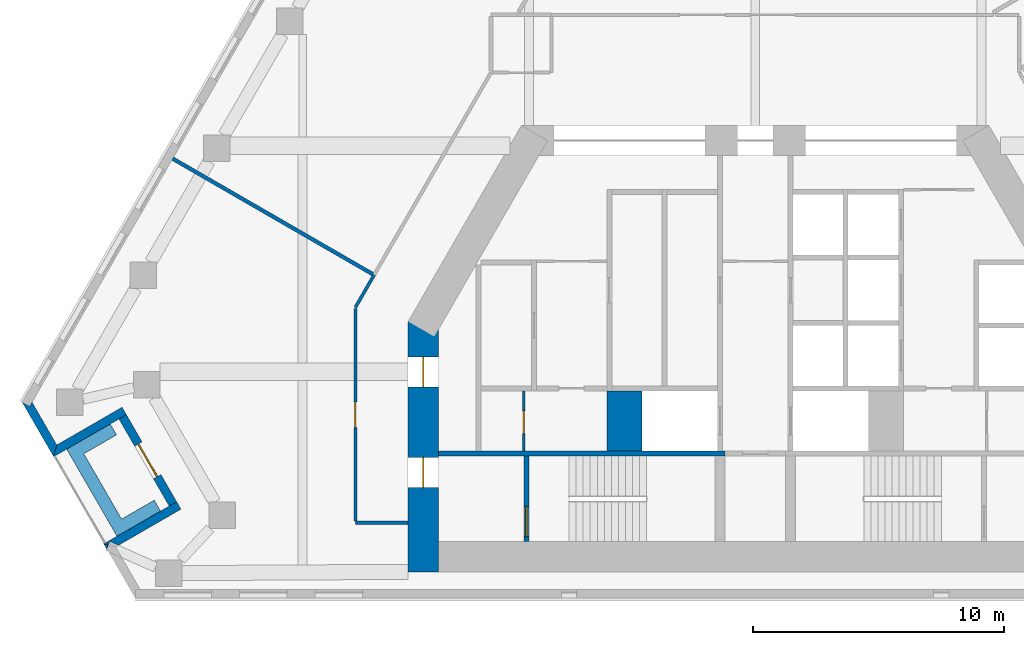
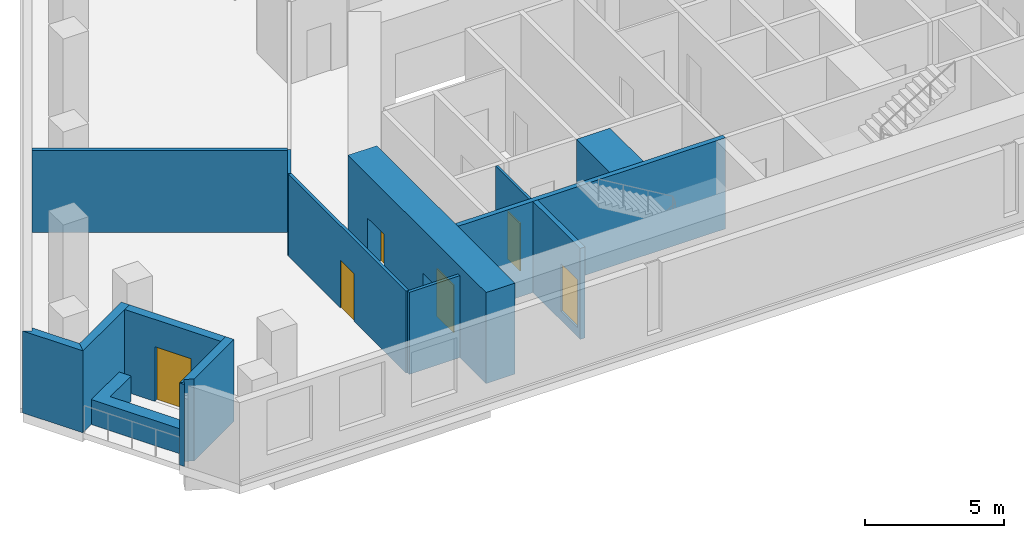
# One storey, part 3 of 9: 15 walls, 6 doors, 6 openings.
"""IFC4 building model written with IfcOpenShell, lengths in metres."""

from ifc_helpers import new_model, si_unit, direction, frame, frame_2d, origin, place, context, subcontext, project, spatial, polyline, rectangle, outline, extrude, material, layer, layer_set, type_object, element, fill, save


model = new_model("IFC4")

# Units and contexts
model_context = context("Model", 3, precision=1e-05, world=origin(), true_north=direction((0.0, 1.0)))
body_context = subcontext(model_context, "Body", "Model", "MODEL_VIEW")
ifc_project = project(units=[si_unit("LENGTHUNIT", "METRE"), si_unit("AREAUNIT", "SQUARE_METRE"), si_unit("VOLUMEUNIT", "CUBIC_METRE"), si_unit("PLANEANGLEUNIT", "RADIAN"), si_unit("MASSUNIT", "GRAM", prefix="KILO")], contexts=[model_context])

# Site, building, storey
site_placement = place(None, origin())
site = spatial("IfcSite", under=ifc_project, at=site_placement, CompositionType="ELEMENT")
building_placement = place(site_placement, origin())
building = spatial("IfcBuilding", under=site, at=building_placement, Name="Fogline Exchange Tower", CompositionType="ELEMENT")
storey_placement = place(building_placement, frame((0.0, 0.0, 146.89990234375)))
storey = spatial("IfcBuildingStorey", under=building, at=storey_placement, Name="L32", CompositionType="ELEMENT", Elevation=146.89990234375)

# Wall, opening, door
ifc_material_1 = material(Name="Blockwork partition", Category="masonry")
ifc_layer_1 = layer(ifc_material_1, 0.10009765625)
ifc_layer_set_1 = layer_set([ifc_layer_1], Name="CW10")
wall_type_1 = type_object("IfcWallType", Name="CW10", PredefinedType="PARTITIONING", material=ifc_layer_set_1)
wall_1_placement = place(storey_placement, frame((-9.199951171875, 5.85009765625, 0.0), z_axis=(0.0, 0.0, 1.0), x_axis=(0.0, 1.0, 0.0)))
wall_1 = element("IfcWall", 1, at=wall_1_placement, inside=storey, type_object=wall_type_1, Name="WC partition", PredefinedType="PARTITIONING", context=body_context, shape_type="SweptSolid", body=[
    extrude(rectangle(XDim=2.39990234375, YDim=0.10009765625, at=frame_2d((1.199951171875, 0.0))), origin(), (0.0, 0.0, 1.0), 3.60009765625),
])
opening_1_placement = place(wall_1_placement, frame((0.699951171875, 0.0, 0.0)))
opening_1 = element("IfcOpeningElement", 2, at=opening_1_placement, cuts=wall_1, Name="Opening T10-C008", PredefinedType="OPENING", context=body_context, shape_type="SweptSolid", body=[
    extrude(rectangle(XDim=0.89990234375, YDim=2.10009765625, at=frame_2d((0.449951171875, 1.050048828125))), frame((0.0, 0.06005859375, 0.0), z_axis=(0.0, -1.0, 0.0), x_axis=(1.0, 0.0, 0.0)), (0.0, 0.0, 1.0), 0.1201171875),
])
ifc_material_2 = material(Name="Steel and timber fire door", Category="steel")
door_type_1 = type_object("IfcDoorType", Name="D-CS1", OperationType="SINGLE_SWING_RIGHT", PredefinedType="DOOR", material=ifc_material_2)
door_1_placement = place(opening_1_placement, origin())
door_1 = element("IfcDoor", 3, at=door_1_placement, inside=storey, type_object=door_type_1, Name="Door to Cleaner's Store", OperationType="SINGLE_SWING_LEFT", OverallHeight=2.10009765625, OverallWidth=0.89990234375, PredefinedType="DOOR", context=body_context, shape_type="SweptSolid", body=[
    extrude(rectangle(XDim=0.89990234375, YDim=2.10009765625, at=frame_2d((0.449951171875, 1.050048828125))), frame((0.0, 0.02490234375, 0.0), z_axis=(0.0, -1.0, 0.0), x_axis=(1.0, 0.0, 0.0)), (0.0, 0.0, 1.0), 0.050048828125),
])
fill(opening_1, door_1)

# Walls
ifc_material_3 = material(Name="Concrete C60", Category="concrete")
ifc_layer_2 = layer(ifc_material_3, 1.39990234375)
ifc_layer_set_2 = layer_set([ifc_layer_2], Name="CW140")
wall_type_2 = type_object("IfcWallType", Name="CW140", PredefinedType="SOLIDWALL", material=ifc_layer_set_2)
wall_2_placement = place(storey_placement, frame((-5.199951171875, 5.85009765625, -0.39990234375), z_axis=(0.0, 0.0, 1.0), x_axis=(0.0, 1.0, 0.0)))
element("IfcWall", 4, at=wall_2_placement, inside=storey, type_object=wall_type_2, Name="Lift shaft block wall", PredefinedType="SOLIDWALL", context=body_context, shape_type="SweptSolid", body=[
    extrude(rectangle(XDim=2.39990234375, YDim=1.39990234375, at=frame_2d((1.199951171875, 0.0))), origin(), (0.0, 0.0, 1.0), 4.0),
])
ifc_material_4 = material(Name="Concrete C40", Category="concrete")
ifc_layer_3 = layer(ifc_material_4, 0.199951171875)
ifc_layer_set_3 = layer_set([ifc_layer_3], Name="CW20R")
wall_type_3 = type_object("IfcWallType", Name="CW20R", PredefinedType="SOLIDWALL", material=ifc_layer_set_3)
wall_3_placement = place(storey_placement, frame((-12.60009765625, 5.75, -0.39990234375), z_axis=(0.0, 0.0, 1.0), x_axis=(1.0, 0.0, 0.0)))
element("IfcWall", 5, at=wall_3_placement, inside=storey, type_object=wall_type_3, Name="Stair enclosure wall", PredefinedType="SOLIDWALL", context=body_context, shape_type="SweptSolid", body=[
    extrude(rectangle(XDim=11.400146484375, YDim=0.199951171875, at=frame_2d((5.7001953125, 0.0))), origin(), (0.0, 0.0, 1.0), 4.0),
])

# Wall, opening, door
wall_4_placement = place(storey_placement, frame((-9.10009765625, 2.25, -0.39990234375), z_axis=(0.0, 0.0, 1.0), x_axis=(0.0, 1.0, 0.0)))
wall_4 = element("IfcWall", 6, at=wall_4_placement, inside=storey, type_object=wall_type_3, Name="Stair enclosure wall", PredefinedType="SOLIDWALL", context=body_context, shape_type="SweptSolid", body=[
    extrude(rectangle(XDim=3.39990234375, YDim=0.199951171875, at=frame_2d((1.699951171875, 0.0))), origin(), (0.0, 0.0, 1.0), 4.0),
])
opening_2_placement = place(wall_4_placement, frame((0.199951171875, 0.0, 0.39990234375)))
opening_2 = element("IfcOpeningElement", 7, at=opening_2_placement, cuts=wall_4, Name="Opening T10-C010", PredefinedType="OPENING", context=body_context, shape_type="SweptSolid", body=[
    extrude(rectangle(XDim=1.199951171875, YDim=2.10009765625, at=frame_2d((0.60009765625, 1.050048828125))), frame((0.0, 0.10986328125, 0.0), z_axis=(0.0, -1.0, 0.0), x_axis=(1.0, 0.0, 0.0)), (0.0, 0.0, 1.0), 0.219970703125),
])
door_type_2 = type_object("IfcDoorType", Name="D-ST1", OperationType="SINGLE_SWING_LEFT", PredefinedType="DOOR", material=ifc_material_2)
door_2_placement = place(opening_2_placement, frame((1.199951171875, 0.0, 0.0), z_axis=(0.0, 0.0, 1.0), x_axis=(-1.0, 0.0, 0.0)))
door_2 = element("IfcDoor", 8, at=door_2_placement, inside=storey, type_object=door_type_2, Name="Stair door ST1", OperationType="SINGLE_SWING_RIGHT", OverallHeight=2.10009765625, OverallWidth=1.199951171875, PredefinedType="DOOR", context=body_context, shape_type="SweptSolid", body=[
    extrude(rectangle(XDim=1.199951171875, YDim=2.10009765625, at=frame_2d((0.60009765625, 1.050048828125))), frame((0.0, 0.02490234375, 0.0), z_axis=(0.0, -1.0, 0.0), x_axis=(1.0, 0.0, 0.0)), (0.0, 0.0, 1.0), 0.050048828125),
])
fill(opening_2, door_2)

# Walls
ifc_material_5 = material(Name="Brick masonry", Category="masonry")
ifc_layer_4 = layer(ifc_material_5, 0.340087890625)
ifc_layer_set_4 = layer_set([ifc_layer_4], Name="FW1")
wall_type_4 = type_object("IfcWallType", Name="FW1", PredefinedType="SOLIDWALL", material=ifc_layer_set_4)
wall_5_placement = place(storey_placement, origin())
element("IfcWall", 9, at=wall_5_placement, inside=storey, type_object=wall_type_4, Name="Brick wall L32 SW-c1", PredefinedType="SOLIDWALL", context=body_context, shape_type="SweptSolid", body=[
    extrude(outline(polyline([(-27.8984375, 5.6279296875), (-29.149658203125, 7.794921875), (-29.149169921875, 7.79541015625), (-28.854248046875, 7.625), (-28.755859375, 7.79541015625), (-27.7734375, 6.09375), (-27.898193359375, 5.6279296875), (-27.8984375, 5.6279296875)])), origin(), (0.0, 0.0, 1.0), 3.60009765625),
])
wall_6_placement = place(storey_placement, origin())
element("IfcWall", 10, at=wall_6_placement, inside=storey, type_object=wall_type_4, Name="Brick wall L32 SW-s1", PredefinedType="SOLIDWALL", context=body_context, shape_type="SweptSolid", body=[
    extrude(outline(polyline([(-25.17578125, 7.594482421875), (-25.005126953125, 7.298828125), (-25.300048828125, 7.128662109375), (-27.899169921875, 5.628173828125), (-27.8994140625, 5.62841796875), (-27.774658203125, 6.093994140625), (-25.17578125, 7.594482421875)])), origin(), (0.0, 0.0, 1.0), 3.60009765625),
])

# Wall, opening, door
wall_7_placement = place(storey_placement, frame((-25.153076171875, 7.214111328125, 0.0), z_axis=(0.0, 0.0, 1.0), x_axis=(0.49999894854, -0.866026010844, 0.0)))
wall_7 = element("IfcWall", 11, at=wall_7_placement, inside=storey, type_object=wall_type_4, Name="Brick wall L32 SW-bk", PredefinedType="SOLIDWALL", context=body_context, shape_type="SweptSolid", body=[
    extrude(rectangle(XDim=4.0, YDim=0.340087890625, at=frame_2d((2.0, 0.0))), origin(), (0.0, 0.0, 1.0), 3.60009765625),
])
opening_3_placement = place(wall_7_placement, frame((1.25, 0.0, 0.0)))
opening_3 = element("IfcOpeningElement", 12, at=opening_3_placement, cuts=wall_7, Name="Opening T10-E021", PredefinedType="OPENING", context=body_context, shape_type="SweptSolid", body=[
    extrude(rectangle(XDim=1.5, YDim=2.39990234375, at=frame_2d((0.75, 1.199951171875))), frame((0.0, 0.18017578125, 0.0), z_axis=(0.0, -1.0, 0.0), x_axis=(1.0, 0.0, 0.0)), (0.0, 0.0, 1.0), 0.360107421875),
])
ifc_material_6 = material(Name="Aluminium and glass", Category="aluminium")
door_type_3 = type_object("IfcDoorType", Name="ED4", OperationType="SINGLE_SWING_LEFT", PredefinedType="DOOR", material=ifc_material_6)
door_3_placement = place(opening_3_placement, frame((1.5, 0.0, 0.0), z_axis=(0.0, 0.0, 1.0), x_axis=(-1.0, 0.0, 0.0)))
door_3 = element("IfcDoor", 13, at=door_3_placement, inside=storey, type_object=door_type_3, Name="Balcony door L32 SW", OperationType="DOUBLE_DOOR_SINGLE_SWING", OverallHeight=2.39990234375, OverallWidth=1.5, PredefinedType="DOOR", context=body_context, shape_type="SweptSolid", body=[
    extrude(rectangle(XDim=1.5, YDim=2.39990234375, at=frame_2d((0.75, 1.199951171875))), frame((0.0, 0.02490234375, 0.0), z_axis=(0.0, -1.0, 0.0), x_axis=(1.0, 0.0, 0.0)), (0.0, 0.0, 1.0), 0.050048828125),
])
fill(opening_3, door_3)

# Walls
wall_8_placement = place(storey_placement, origin())
element("IfcWall", 14, at=wall_8_placement, inside=storey, type_object=wall_type_4, Name="Brick wall L32 SW-s2", PredefinedType="SOLIDWALL", context=body_context, shape_type="SweptSolid", body=[
    extrude(outline(polyline([(-23.30078125, 3.66552734375), (-23.005859375, 3.8359375), (-22.835205078125, 3.540283203125), (-25.31640625, 2.10791015625), (-25.659423828125, 2.260986328125), (-25.723388671875, 2.11767578125), (-25.899658203125, 2.164794921875), (-25.899658203125, 2.1650390625), (-23.30078125, 3.66552734375)])), origin(), (0.0, 0.0, 1.0), 3.60009765625),
])
wall_9_placement = place(storey_placement, origin())
element("IfcWall", 15, at=wall_9_placement, inside=storey, type_object=wall_type_4, Name="Brick wall L32 SW-c2", PredefinedType="SOLIDWALL", context=body_context, shape_type="SweptSolid", body=[
    extrude(outline(polyline([(-25.8994140625, 2.165771484375), (-25.8994140625, 2.166015625), (-25.722900390625, 2.11865234375), (-25.7880859375, 1.972900390625), (-25.8994140625, 2.165771484375)])), origin(), (0.0, 0.0, 1.0), 3.60009765625),
])
ifc_material_7 = material(Name="Concrete C30", Category="concrete")
ifc_layer_5 = layer(ifc_material_7, 0.199951171875)
ifc_layer_set_5 = layer_set([ifc_layer_5], Name="PL1")
wall_type_5 = type_object("IfcWallType", Name="PL1", PredefinedType="USERDEFINED", material=ifc_layer_set_5)
wall_10_placement = place(storey_placement, origin())
element("IfcWall", 16, at=wall_10_placement, inside=storey, type_object=wall_type_5, Name="PLANTER balcony L32 SW", ObjectType="PLANTER", PredefinedType="USERDEFINED", context=body_context, shape_type="SweptSolid", body=[
    extrude(outline(polyline([(-23.896728515625, 3.898193359375), (-25.19580078125, 3.148193359375), (-26.69580078125, 5.74609375), (-25.396728515625, 6.49609375), (-25.646728515625, 6.92919921875), (-27.37890625, 5.92919921875), (-27.12890625, 5.49609375), (-25.37890625, 2.465087890625), (-24.94580078125, 2.715087890625), (-24.94580078125, 2.715087890625), (-23.646728515625, 3.465087890625), (-23.896728515625, 3.898193359375)])), origin(), (0.0, 0.0, 1.0), 1.10009765625),
])
ifc_material_8 = material(Name="Plasterboard corridor partition with mineral wool, 2 layers each side")
ifc_layer_6 = layer(ifc_material_8, 0.125)
ifc_layer_set_6 = layer_set([ifc_layer_6], Name="PW2")
wall_type_6 = type_object("IfcWallType", Name="PW2", PredefinedType="PARTITIONING", material=ifc_layer_set_6)
wall_11_placement = place(storey_placement, frame((-13.800048828125, 3.0, 0.0), z_axis=(0.0, 0.0, 1.0), x_axis=(-1.0, 0.0, 0.0)))
element("IfcWall", 17, at=wall_11_placement, inside=storey, type_object=wall_type_6, Name="wall-L32-W011", PredefinedType="PARTITIONING", context=body_context, shape_type="SweptSolid", body=[
    extrude(rectangle(XDim=2.099853515625, YDim=0.125, at=frame_2d((1.0498046875, 0.0))), origin(), (0.0, 0.0, 1.0), 3.60009765625),
])

# Wall, opening, door
wall_12_placement = place(storey_placement, frame((-15.89990234375, 3.0625, 0.0), z_axis=(0.0, 0.0, 1.0), x_axis=(0.0, 1.0, 0.0)))
wall_12 = element("IfcWall", 18, at=wall_12_placement, inside=storey, type_object=wall_type_6, Name="wall-L32-W012", PredefinedType="PARTITIONING", context=body_context, shape_type="SweptSolid", body=[
    extrude(rectangle(XDim=8.46826171875, YDim=0.125, at=frame_2d((4.234130859375, 0.0))), origin(), (0.0, 0.0, 1.0), 3.60009765625),
])
opening_4_placement = place(wall_12_placement, frame((3.734130859375, 0.0, 0.0)))
opening_4 = element("IfcOpeningElement", 19, at=opening_4_placement, cuts=wall_12, Name="Opening T10-D005", PredefinedType="OPENING", context=body_context, shape_type="SweptSolid", body=[
    extrude(rectangle(XDim=1.0, YDim=2.10009765625, at=frame_2d((0.5, 1.050048828125))), frame((0.0, 0.072509765625, 0.0), z_axis=(0.0, -1.0, 0.0), x_axis=(1.0, 0.0, 0.0)), (0.0, 0.0, 1.0), 0.14501953125),
])
ifc_material_9 = material(Name="Fire-rated timber door leaf with steel frame", Category="steel")
door_type_4 = type_object("IfcDoorType", Name="D3", OperationType="SINGLE_SWING_LEFT", PredefinedType="DOOR", material=ifc_material_9)
door_4_placement = place(opening_4_placement, origin())
door_4 = element("IfcDoor", 20, at=door_4_placement, inside=storey, type_object=door_type_4, Name="door-L32-D005", OperationType="SINGLE_SWING_LEFT", OverallHeight=2.10009765625, OverallWidth=1.0, PredefinedType="DOOR", context=body_context, shape_type="SweptSolid", body=[
    extrude(rectangle(XDim=1.0, YDim=2.10009765625, at=frame_2d((0.5, 1.050048828125))), frame((0.0, 0.02490234375, 0.0), z_axis=(0.0, -1.0, 0.0), x_axis=(1.0, 0.0, 0.0)), (0.0, 0.0, 1.0), 0.050048828125),
])
fill(opening_4, door_4)

# Walls
wall_13_placement = place(storey_placement, frame((-15.89990234375, 11.561767578125, 0.0), z_axis=(0.0, 0.0, 1.0), x_axis=(0.499986386223, 0.866033263559, 0.0)))
element("IfcWall", 21, at=wall_13_placement, inside=storey, type_object=wall_type_6, Name="wall-L32-W013", PredefinedType="PARTITIONING", context=body_context, shape_type="SweptSolid", body=[
    extrude(rectangle(XDim=1.49462890625, YDim=0.125, at=frame_2d((0.747314453125, 0.0))), origin(), (0.0, 0.0, 1.0), 3.60009765625),
])
ifc_material_10 = material(Name="Plasterboard demising partition with mineral wool and acoustic board")
ifc_layer_7 = layer(ifc_material_10, 0.14990234375)
ifc_layer_set_7 = layer_set([ifc_layer_7], Name="PW3")
wall_type_7 = type_object("IfcWallType", Name="PW3", PredefinedType="PARTITIONING", material=ifc_layer_set_7)
wall_14_placement = place(storey_placement, frame((-15.206787109375, 12.887451171875, 0.0), z_axis=(0.0, 0.0, 1.0), x_axis=(-0.866016979766, 0.500014590545, 0.0)))
element("IfcWall", 22, at=wall_14_placement, inside=storey, type_object=wall_type_7, Name="wall-L32-W042", PredefinedType="PARTITIONING", context=body_context, shape_type="SweptSolid", body=[
    extrude(rectangle(XDim=9.187255859375, YDim=0.14990234375, at=frame_2d((4.59375, 0.0))), origin(), (0.0, 0.0, 1.0), 3.60009765625),
])

# Wall, openings, doors
ifc_layer_8 = layer(ifc_material_3, 1.199951171875)
ifc_layer_set_8 = layer_set([ifc_layer_8], Name="SW02")
wall_type_8 = type_object("IfcWallType", Name="SW02", PredefinedType="SHEAR", material=ifc_layer_set_8)
wall_15_placement = place(storey_placement, frame((-13.199951171875, 10.9990234375, 0.0), z_axis=(0.0, 0.0, 1.0), x_axis=(0.0, -1.0, 0.0)))
wall_15 = element("IfcWall", 23, at=wall_15_placement, inside=storey, type_object=wall_type_8, Name="L32-W906", PredefinedType="SHEAR", context=body_context, shape_type="SweptSolid", body=[
    extrude(rectangle(XDim=9.948974609375, YDim=1.199951171875, at=frame_2d((4.974609375, 0.0))), origin(), (0.0, 0.0, 1.0), 4.0),
])
opening_5_placement = place(wall_15_placement, frame((5.39892578125, 0.0, 0.0)))
opening_5 = element("IfcOpeningElement", 24, at=opening_5_placement, cuts=wall_15, Name="Opening T10-C009", PredefinedType="OPENING", context=body_context, shape_type="SweptSolid", body=[
    extrude(rectangle(XDim=1.199951171875, YDim=2.10009765625, at=frame_2d((0.60009765625, 1.050048828125))), frame((0.0, 0.60986328125, 0.0), z_axis=(0.0, -1.0, 0.0), x_axis=(1.0, 0.0, 0.0)), (0.0, 0.0, 1.0), 1.219970703125),
])
opening_6_placement = place(wall_15_placement, frame((1.39892578125, 0.0, 0.0)))
opening_6 = element("IfcOpeningElement", 25, at=opening_6_placement, cuts=wall_15, Name="Opening T10-C011", PredefinedType="OPENING", context=body_context, shape_type="SweptSolid", body=[
    extrude(rectangle(XDim=1.199951171875, YDim=2.10009765625, at=frame_2d((0.60009765625, 1.050048828125))), frame((0.0, 0.60986328125, 0.0), z_axis=(0.0, -1.0, 0.0), x_axis=(1.0, 0.0, 0.0)), (0.0, 0.0, 1.0), 1.219970703125),
])
door_type_5 = type_object("IfcDoorType", Name="D-FR1", OperationType="SINGLE_SWING_RIGHT", PredefinedType="DOOR", material=ifc_material_2)
door_5_placement = place(opening_5_placement, origin())
door_5 = element("IfcDoor", 26, at=door_5_placement, inside=storey, type_object=door_type_5, Name="Front room door ST1", OperationType="SINGLE_SWING_LEFT", OverallHeight=2.10009765625, OverallWidth=1.199951171875, PredefinedType="DOOR", context=body_context, shape_type="SweptSolid", body=[
    extrude(rectangle(XDim=1.199951171875, YDim=2.10009765625, at=frame_2d((0.60009765625, 1.050048828125))), frame((0.0, 0.02490234375, 0.0), z_axis=(0.0, -1.0, 0.0), x_axis=(1.0, 0.0, 0.0)), (0.0, 0.0, 1.0), 0.050048828125),
])
fill(opening_5, door_5)
door_type_6 = type_object("IfcDoorType", Name="D-SV1", OperationType="SINGLE_SWING_LEFT", PredefinedType="DOOR", material=ifc_material_2)
door_6_placement = place(opening_6_placement, origin())
door_6 = element("IfcDoor", 27, at=door_6_placement, inside=storey, type_object=door_type_6, Name="Service door W", OperationType="SINGLE_SWING_LEFT", OverallHeight=2.10009765625, OverallWidth=1.199951171875, PredefinedType="DOOR", context=body_context, shape_type="SweptSolid", body=[
    extrude(rectangle(XDim=1.199951171875, YDim=2.10009765625, at=frame_2d((0.60009765625, 1.050048828125))), frame((0.0, 0.02490234375, 0.0), z_axis=(0.0, -1.0, 0.0), x_axis=(1.0, 0.0, 0.0)), (0.0, 0.0, 1.0), 0.050048828125),
])
fill(opening_6, door_6)

save(model, "model.ifc")
